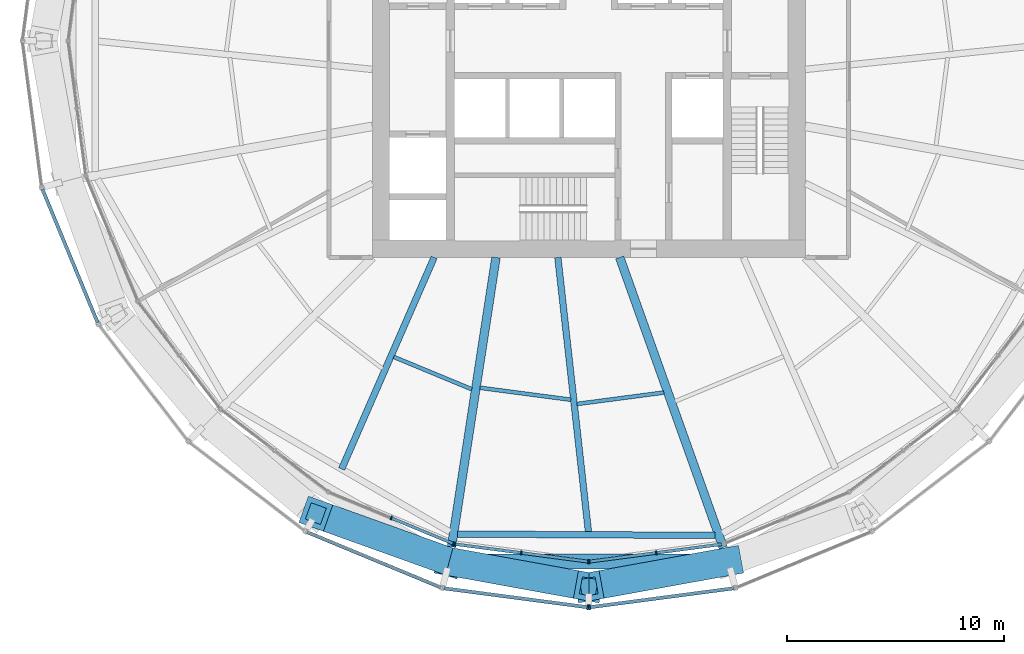
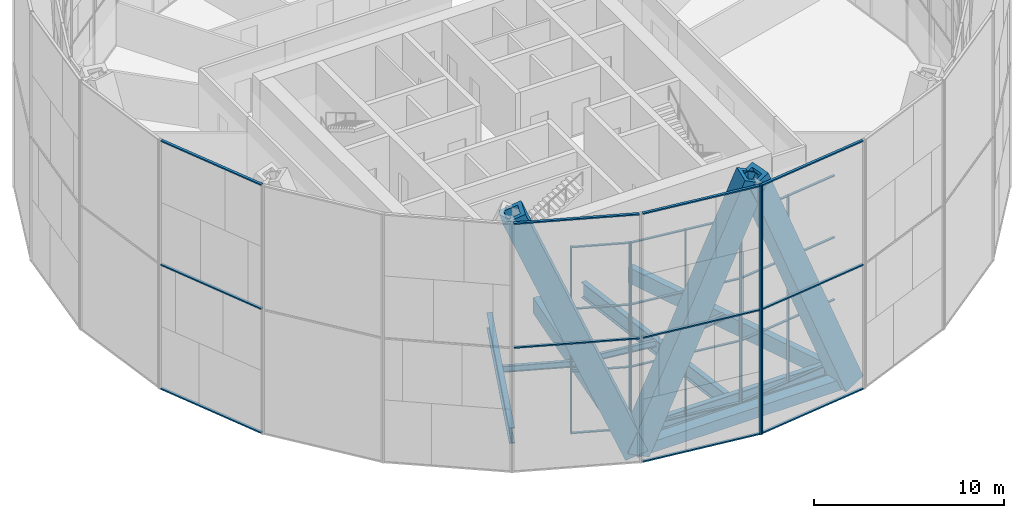
# One storey, part 2 of 26: 43 members, 9 beams, 7 elements without a shape of their own.
"""IFC4 building model written with IfcOpenShell, lengths in metres."""

import ifcopenshell
import ifcopenshell.guid

model = None  # the IFC model being written
_history = None  # IfcOwnerHistory: only IFC2X3 demands one
_inside = {}  # id of a spatial element -> (the spatial element, [elements in it])
_under = {}  # id of a project, library or spatial element -> (it, [spatial elements below it])
_declared = {}  # id of a project -> (the project, [libraries it declares])
_typed = {}  # id of a type object -> (the type object, [elements of that type])
_made_of = {}  # id of a material, layer set ... -> (it, [elements and type objects made of it])


def new_model(schema):
    """Start an empty IFC model of exactly this schema.

    Asked for "IFC4X3", IfcOpenShell would pick the latest addendum, in which some entities
    have other attributes; the version numbers below select the first issue.
    IFC2X3 requires an IfcOwnerHistory on every rooted entity: one is made here for all.
    """
    global model, _history
    if schema == "IFC4X3":
        model = ifcopenshell.file(schema_version=(4, 3, 0, 0))
    else:
        model = ifcopenshell.file(schema=schema)
    _inside.clear()
    _under.clear()
    _declared.clear()
    _typed.clear()
    _made_of.clear()
    _history = None
    if model.schema == "IFC2X3":
        org = make("IfcOrganization", Name="unknown")
        user = make(
            "IfcPersonAndOrganization",
            ThePerson=make("IfcPerson", FamilyName="unknown"),
            TheOrganization=org,
        )
        app = make(
            "IfcApplication",
            ApplicationDeveloper=org,
            Version="unknown",
            ApplicationFullName="unknown",
            ApplicationIdentifier="unknown",
        )
        _history = make(
            "IfcOwnerHistory",
            OwningUser=user,
            OwningApplication=app,
            ChangeAction="ADDED",
            CreationDate=0,
        )
    return model


def make(cls, **values):
    """One entity of the class cls with the attributes given. An attribute that is None is left unset."""
    return model.create_entity(
        cls, **{name: value for name, value in values.items() if value is not None}
    )


def rooted(cls, **values):
    """An entity with a GlobalId (a new one), such as an element, a storey or a relation."""
    return make(cls, GlobalId=ifcopenshell.guid.new(), OwnerHistory=_history, **values)


def si_unit(unit_type, name, prefix=None):
    """IfcSIUnit, for example si_unit("LENGTHUNIT", "METRE", prefix="MILLI")."""
    return make("IfcSIUnit", UnitType=unit_type, Prefix=prefix, Name=name)


def assignment(units):
    """IfcUnitAssignment: the units of a project."""
    return None if units is None else make("IfcUnitAssignment", Units=units)


def point(xyz):
    """IfcCartesianPoint."""
    return None if xyz is None else make("IfcCartesianPoint", Coordinates=xyz)


def direction(xyz):
    """IfcDirection."""
    return None if xyz is None else make("IfcDirection", DirectionRatios=xyz)


def frame(location, z_axis=None, x_axis=None):
    """IfcAxis2Placement3D, a coordinate frame: its origin and axes. An axis left out is left unset."""
    return make(
        "IfcAxis2Placement3D",
        Location=point(location),
        Axis=direction(z_axis),
        RefDirection=direction(x_axis),
    )


def frame_2d(location, x_axis=None):
    """IfcAxis2Placement2D, a coordinate frame in the plane: its origin and x axis."""
    return make(
        "IfcAxis2Placement2D", Location=point(location), RefDirection=direction(x_axis)
    )


def origin():
    """The frame at (0, 0, 0) with its axes left unset."""
    return frame((0.0, 0.0, 0.0))


def origin_2d():
    """The frame at (0, 0) in the plane with its x axis left unset."""
    return frame_2d((0.0, 0.0))


def place(relative_to, where):
    """IfcLocalPlacement: puts the frame where relative to a parent placement (None: the world)."""
    return make(
        "IfcLocalPlacement", PlacementRelTo=relative_to, RelativePlacement=where
    )


def context(
    kind, dimensions, precision=None, world=None, true_north=None, identifier=None
):
    """IfcGeometricRepresentationContext, for example the 3D "Model" context."""
    return make(
        "IfcGeometricRepresentationContext",
        ContextIdentifier=identifier,
        ContextType=kind,
        CoordinateSpaceDimension=dimensions,
        Precision=precision,
        WorldCoordinateSystem=world,
        TrueNorth=true_north,
    )


def subcontext(parent, identifier, kind, view, scale=None):
    """IfcGeometricRepresentationSubContext, for example "Body" below "Model"."""
    return make(
        "IfcGeometricRepresentationSubContext",
        ContextIdentifier=identifier,
        ContextType=kind,
        ParentContext=parent,
        TargetScale=scale,
        TargetView=view,
    )


def project(units=None, contexts=None):
    """IfcProject with its units and contexts."""
    return rooted(
        "IfcProject",
        Name="project",
        RepresentationContexts=contexts,
        UnitsInContext=assignment(units),
    )


def spatial(cls, under=None, at=None, **own):
    """A site, building, storey or space (cls), placed at a placement, below another one or the project."""
    s = rooted(cls, ObjectPlacement=at, **own)
    if under is not None:
        _under.setdefault(under.id(), (under, []))[1].append(s)
    return s


def profile(cls, at=None, kind="AREA", **sizes):
    """A parametric profile (cls). Its sizes go by their IFC names, for example OverallWidth=200.0."""
    return make(cls, ProfileType=kind, Position=at, **sizes)


def rectangle(**sizes):
    """IfcRectangleProfileDef."""
    return profile("IfcRectangleProfileDef", **sizes)


def hollow_rectangle(**sizes):
    """IfcRectangleHollowProfileDef."""
    return profile("IfcRectangleHollowProfileDef", **sizes)


def i_section(**sizes):
    """IfcIShapeProfileDef."""
    return profile("IfcIShapeProfileDef", **sizes)


def extrude(swept, where, along, depth):
    """IfcExtrudedAreaSolid: the profile swept, set in the frame where, extruded along a direction by depth."""
    return make(
        "IfcExtrudedAreaSolid",
        SweptArea=swept,
        Position=where,
        ExtrudedDirection=direction(along),
        Depth=depth,
    )


def shape(context_of_items, identifier, shape_type, items):
    """IfcShapeRepresentation: the items that make up one representation, for example the "Body"."""
    return make(
        "IfcShapeRepresentation",
        ContextOfItems=context_of_items,
        RepresentationIdentifier=identifier,
        RepresentationType=shape_type,
        Items=items,
    )


def material(Name=None, Category=None):
    """IfcMaterial."""
    return make("IfcMaterial", Name=Name, Category=Category)


def material_profile(
    of_material, cross_section, Name=None, Category=None, Priority=None
):
    """IfcMaterialProfile: a cross section and its material."""
    return make(
        "IfcMaterialProfile",
        Name=Name,
        Material=of_material,
        Profile=cross_section,
        Priority=Priority,
        Category=Category,
    )


def profile_set(profiles, Name=None, composite=None):
    """IfcMaterialProfileSet."""
    return make(
        "IfcMaterialProfileSet",
        Name=Name,
        MaterialProfiles=profiles,
        CompositeProfile=composite,
    )


def made_of(thing, what):
    """Note that an element or type object is made of a material, layer set ...; save() writes the relation."""
    if what is not None:
        _made_of.setdefault(what.id(), (what, []))[1].append(thing)
    return thing


def type_object(cls, material=None, **own):
    """A type object (cls), such as IfcWallType, which elements share."""
    return made_of(rooted(cls, **own), material)


def element(
    cls,
    number,
    at=None,
    inside=None,
    cuts=None,
    type_object=None,
    material=None,
    context=None,
    identifier="Body",
    shape_type=None,
    held_by="IfcProductDefinitionShape",
    body=None,
    shapes=None,
    **own,
):
    """One element of the class cls, such as IfcWall. Its Tag is "e" and its number.

    at: its placement. inside: the storey or other place that contains it. cuts: it is an
    opening in that element (IfcRelVoidsElement). A single representation is given by context,
    identifier, shape_type and body (its items); several are given by shapes. held_by: the class
    of the entity that holds the representations. save() writes the other relations.
    """
    e = rooted(cls, Tag="e%d" % number, ObjectPlacement=at, **own)
    if body is not None:
        shapes = [shape(context, identifier, shape_type, body)]
    if shapes is not None:
        e.Representation = make(held_by, Representations=shapes)
    if inside is not None:
        _inside.setdefault(inside.id(), (inside, []))[1].append(e)
    if cuts is not None:
        rooted(
            "IfcRelVoidsElement", RelatingBuildingElement=cuts, RelatedOpeningElement=e
        )
    if type_object is not None:
        _typed.setdefault(type_object.id(), (type_object, []))[1].append(e)
    return made_of(e, material)


def aggregate(whole, parts):
    """IfcRelAggregates: a whole, such as a stair, and the parts it consists of."""
    return rooted("IfcRelAggregates", RelatingObject=whole, RelatedObjects=parts)


def save(model, path):
    """Write the relations noted so far, then the file.

    IfcRelAggregates (storeys below a building ...), IfcRelContainedInSpatialStructure (elements
    in a storey), IfcRelDefinesByType, IfcRelAssociatesMaterial and IfcRelDeclares: one each for
    every whole, place, type object, material and project.
    """
    for whole, parts in _under.values():
        aggregate(whole, parts)
    for where, things in _inside.values():
        rooted(
            "IfcRelContainedInSpatialStructure",
            RelatedElements=things,
            RelatingStructure=where,
        )
    for kind, things in _typed.values():
        rooted("IfcRelDefinesByType", RelatedObjects=things, RelatingType=kind)
    for what, things in _made_of.values():
        rooted("IfcRelAssociatesMaterial", RelatedObjects=things, RelatingMaterial=what)
    for by, libraries in _declared.values():
        rooted("IfcRelDeclares", RelatingContext=by, RelatedDefinitions=libraries)
    model.write(path)


model = new_model("IFC4")

# Units and contexts
model_context = context("Model", 3, precision=1e-05, world=origin(), true_north=direction((0.0, 1.0)))
body_context = subcontext(model_context, "Body", "Model", "MODEL_VIEW")
ifc_project = project(units=[si_unit("LENGTHUNIT", "METRE"), si_unit("AREAUNIT", "SQUARE_METRE"), si_unit("VOLUMEUNIT", "CUBIC_METRE"), si_unit("PLANEANGLEUNIT", "RADIAN"), si_unit("MASSUNIT", "GRAM", prefix="KILO")], contexts=[model_context])

# Site, building, storey
site_placement = place(None, origin())
site = spatial("IfcSite", under=ifc_project, at=site_placement, CompositionType="ELEMENT")
building_placement = place(site_placement, origin())
building = spatial("IfcBuilding", under=site, at=building_placement, Name="Golbaran Civic Tower", CompositionType="ELEMENT")
storey_placement = place(building_placement, frame((0.0, 0.0, 69.0)))
storey = spatial("IfcBuildingStorey", under=building, at=storey_placement, Name="L16", CompositionType="ELEMENT", Elevation=69.0)

# Members
ifc_material_1 = material(Name="Steel S355", Category="steel")
ifc_material_profile_1 = material_profile(ifc_material_1, hollow_rectangle(XDim=1.300048828125, YDim=1.300048828125, WallThickness=0.25, at=origin_2d()), Name="BOX 1300x1300x250")
ifc_profile_set_1 = profile_set([ifc_material_profile_1], Name="Steel S355")
member_type_1 = type_object("IfcMemberType", Name="DIAGRID DIAGONAL BOX 1300x1300x250", PredefinedType="BRACE", material=ifc_profile_set_1)
for number, where, z_axis, x_axis, name in (
    (1, (-6.4423828125, -24.04296875, -0.7099609375), (0.372654606272, -0.067560240882, 0.925507513895), (0.178386648531, 0.983960468528, 0.0), "Diagonal D03-08R L16-L20"),
    (2, (-6.4423828125, -24.04296875, -0.7099609375), (-0.356500071861, 0.127819765109, 0.925510565262), (-0.337503066276, -0.941324428799, 0.0), "Diagonal D03-08L L16-L20"),
    (3, (6.4423828125, -24.04296875, -0.7099609375), (-0.372654606272, -0.067560240882, 0.925507513895), (0.178386648531, -0.983960468528, 0.0), "Diagonal D03-09L L16-L20"),
):
    element("IfcMember", number, at=place(storey_placement, frame(where, z_axis=z_axis, x_axis=x_axis)), inside=storey, type_object=member_type_1, Name=name, PredefinedType="BRACE", context=body_context, shape_type="SweptSolid", body=[
        extrude(hollow_rectangle(XDim=1.300048828125, YDim=1.300048828125, WallThickness=0.25, at=origin_2d()), origin(), (0.0, 0.0, 1.0), 17.287841796875),
    ])

# Beams
ifc_material_profile_2 = material_profile(ifc_material_1, hollow_rectangle(XDim=0.699951171875, YDim=0.699951171875, WallThickness=0.080078125, at=origin_2d()), Name="BOX 700x700x80")
ifc_profile_set_2 = profile_set([ifc_material_profile_2], Name="Steel S355")
beam_type_1 = type_object("IfcBeamType", Name="DIAGRID RING TIE BOX 700x700x80", PredefinedType="BEAM", material=ifc_profile_set_2)
beam_1_placement = place(storey_placement, frame((-6.4423828125, -24.04296875, -0.7099609375), z_axis=(1.0, 0.0, 0.0), x_axis=(0.0, 1.0, 0.0)))
element("IfcBeam", 4, at=beam_1_placement, inside=storey, type_object=beam_type_1, Name="Ring tie 255.00 L16", PredefinedType="BEAM", context=body_context, shape_type="SweptSolid", body=[
    extrude(hollow_rectangle(XDim=0.699951171875, YDim=0.699951171875, WallThickness=0.080078125, at=origin_2d()), origin(), (0.0, 0.0, 1.0), 12.884765625),
])
ifc_material_profile_3 = material_profile(ifc_material_1, i_section(OverallWidth=0.300048828125, OverallDepth=0.800048828125, WebThickness=0.017578125, FlangeThickness=0.032958984375, FilletRadius=0.030029296875, at=origin_2d()), Name="HEB 800")
ifc_profile_set_3 = profile_set([ifc_material_profile_3], Name="Steel S355")
beam_type_2 = type_object("IfcBeamType", Name="EDGE BEAM HEB 800", PredefinedType="BEAM", material=ifc_profile_set_3)
beam_2_placement = place(storey_placement, frame((-6.065673828125, -22.77685546875, -0.60009765625), z_axis=(0.999986711838, -0.005155205896, 0.0), x_axis=(0.005155205896, 0.999986711838, 0.0)))
element("IfcBeam", 5, at=beam_2_placement, inside=storey, type_object=beam_type_2, Name="Edge beam 255.00 L16", PredefinedType="BEAM", context=body_context, shape_type="SweptSolid", body=[
    extrude(i_section(OverallWidth=0.300048828125, OverallDepth=0.800048828125, WebThickness=0.017578125, FlangeThickness=0.032958984375, FilletRadius=0.030029296875, at=origin_2d()), origin(), (0.0, 0.0, 1.0), 11.886962890625),
])
ifc_material_profile_4 = material_profile(ifc_material_1, i_section(OverallWidth=0.179931640625, OverallDepth=0.39990234375, WebThickness=0.008544921875, FlangeThickness=0.013427734375, FilletRadius=0.02099609375, at=origin_2d()), Name="IPE 400")
ifc_profile_set_4 = profile_set([ifc_material_profile_4], Name="Steel S355")
beam_type_3 = type_object("IfcBeamType", Name="FLOOR INFILL BEAM IPE 400", PredefinedType="BEAM", material=ifc_profile_set_4)
beam_3_placement = place(storey_placement, frame((-9.00927734375, -14.593505859375, -0.39990234375), z_axis=(0.923883445114, -0.38267398637, 0.0), x_axis=(0.38267398637, 0.923883445114, 0.0)))
element("IfcBeam", 6, at=beam_3_placement, inside=storey, type_object=beam_type_3, Name="Infill beam 247.50 L16", PredefinedType="BEAM", context=body_context, shape_type="SweptSolid", body=[
    extrude(i_section(OverallWidth=0.179931640625, OverallDepth=0.39990234375, WebThickness=0.008544921875, FlangeThickness=0.013427734375, FilletRadius=0.02099609375, at=origin_2d()), origin(), (0.0, 0.0, 1.0), 3.90380859375),
])
beam_4_placement = place(storey_placement, frame((-5.02783203125, -16.0185546875, -0.39990234375), z_axis=(0.991441937301, -0.130548400832, 0.0), x_axis=(0.130548400832, 0.991441937301, 0.0)))
element("IfcBeam", 7, at=beam_4_placement, inside=storey, type_object=beam_type_3, Name="Infill beam 262.50 L16", PredefinedType="BEAM", context=body_context, shape_type="SweptSolid", body=[
    extrude(i_section(OverallWidth=0.179931640625, OverallDepth=0.39990234375, WebThickness=0.008544921875, FlangeThickness=0.013427734375, FilletRadius=0.02099609375, at=origin_2d()), origin(), (0.0, 0.0, 1.0), 4.23779296875),
])
beam_5_placement = place(storey_placement, frame((-0.54296875, -16.767822265625, -0.39990234375), z_axis=(0.991440724593, 0.130557610341, 0.0), x_axis=(-0.130557610341, 0.991440724593, 0.0)))
element("IfcBeam", 8, at=beam_5_placement, inside=storey, type_object=beam_type_3, Name="Infill beam 277.50 L16", PredefinedType="BEAM", context=body_context, shape_type="SweptSolid", body=[
    extrude(i_section(OverallWidth=0.179931640625, OverallDepth=0.39990234375, WebThickness=0.008544921875, FlangeThickness=0.013427734375, FilletRadius=0.02099609375, at=origin_2d()), origin(), (0.0, 0.0, 1.0), 4.04296875),
])

# Curtain wall, members
ifc_material_2 = material(Name="Aluminium and glass", Category="aluminium")
curtain_wall_type_1 = type_object("IfcCurtainWallType", Name="INNER SKIN CURTAIN WALL", PredefinedType="NOTDEFINED", material=ifc_material_2)
curtain_wall_1_placement = place(storey_placement, origin())
curtain_wall_1 = element("IfcCurtainWall", 9, at=curtain_wall_1_placement, inside=storey, type_object=curtain_wall_type_1, Name="Inner skin L16 facet 17 CW1", ObjectType="INNER SKIN", PredefinedType="USERDEFINED")
ifc_material_3 = material(Name="Aluminium", Category="aluminium")
ifc_material_profile_5 = material_profile(ifc_material_3, rectangle(XDim=0.179931640625, YDim=0.06494140625, at=origin_2d()), Name="INNER SKIN CURTAIN WALL MULLION")
ifc_profile_set_5 = profile_set([ifc_material_profile_5], Name="Aluminium")
member_type_2 = type_object("IfcMemberType", Name="INNER SKIN CURTAIN WALL MULLION", PredefinedType="MULLION", material=ifc_profile_set_5)
member_1_placement = place(storey_placement, frame((-9.1259765625, -22.031982421875, 0.0), z_axis=(0.0, 0.0, 1.0), x_axis=(0.382683432446, 0.923879532478, 0.0)))
member_1 = element("IfcMember", 10, at=member_1_placement, type_object=member_type_2, Name="CW1 mullion 2", PredefinedType="MULLION", context=body_context, shape_type="SweptSolid", body=[
    extrude(rectangle(XDim=0.179931640625, YDim=0.06494140625, at=origin_2d()), origin(), (0.0, 0.0, 1.0), 12.0),
])
member_2_placement = place(storey_placement, frame((-6.25537109375, -23.220947265625, 0.0), z_axis=(0.0, 0.0, 1.0), x_axis=(0.382683432446, 0.923879532478, 0.0)))
member_2 = element("IfcMember", 11, at=member_2_placement, type_object=member_type_2, Name="CW1 mullion 3", PredefinedType="MULLION", context=body_context, shape_type="SweptSolid", body=[
    extrude(rectangle(XDim=0.179931640625, YDim=0.06494140625, at=origin_2d()), origin(), (0.0, 0.0, 1.0), 12.0),
])

curtain_wall_2_placement = place(storey_placement, origin())
curtain_wall_2 = element("IfcCurtainWall", 12, at=curtain_wall_2_placement, inside=storey, type_object=curtain_wall_type_1, Name="Inner skin L16 facet 18 CW1", ObjectType="INNER SKIN", PredefinedType="USERDEFINED")
member_3_placement = place(storey_placement, frame((-6.193115234375, -23.237548828125, 0.0), z_axis=(0.0, 0.0, 1.0), x_axis=(0.130526192168, 0.991444861381, 0.0)))
member_3 = element("IfcMember", 13, at=member_3_placement, type_object=member_type_2, Name="CW1 mullion 1", PredefinedType="MULLION", context=body_context, shape_type="SweptSolid", body=[
    extrude(rectangle(XDim=0.179931640625, YDim=0.06494140625, at=origin_2d()), origin(), (0.0, 0.0, 1.0), 12.0),
])
member_4_placement = place(storey_placement, frame((-3.11279296875, -23.643310546875, 0.0), z_axis=(0.0, 0.0, 1.0), x_axis=(0.130526192168, 0.991444861381, 0.0)))
member_4 = element("IfcMember", 14, at=member_4_placement, type_object=member_type_2, Name="CW1 mullion 2", PredefinedType="MULLION", context=body_context, shape_type="SweptSolid", body=[
    extrude(rectangle(XDim=0.179931640625, YDim=0.06494140625, at=origin_2d()), origin(), (0.0, 0.0, 1.0), 12.0),
])
member_5_placement = place(storey_placement, frame((-0.0322265625, -24.048828125, 0.0), z_axis=(0.0, 0.0, 1.0), x_axis=(0.130526192168, 0.991444861381, 0.0)))
member_5 = element("IfcMember", 15, at=member_5_placement, type_object=member_type_2, Name="CW1 mullion 3", PredefinedType="MULLION", context=body_context, shape_type="SweptSolid", body=[
    extrude(rectangle(XDim=0.179931640625, YDim=0.06494140625, at=origin_2d()), origin(), (0.0, 0.0, 1.0), 12.0),
])

curtain_wall_3_placement = place(storey_placement, origin())
curtain_wall_3 = element("IfcCurtainWall", 16, at=curtain_wall_3_placement, inside=storey, type_object=curtain_wall_type_1, Name="Inner skin L16 facet 19 CW1", ObjectType="INNER SKIN", PredefinedType="USERDEFINED")
member_6_placement = place(storey_placement, frame((0.0322265625, -24.048828125, 0.0), z_axis=(0.0, 0.0, 1.0), x_axis=(-0.130526192168, 0.991444861381, 0.0)))
member_6 = element("IfcMember", 17, at=member_6_placement, type_object=member_type_2, Name="CW1 mullion 1", PredefinedType="MULLION", context=body_context, shape_type="SweptSolid", body=[
    extrude(rectangle(XDim=0.179931640625, YDim=0.06494140625, at=origin_2d()), origin(), (0.0, 0.0, 1.0), 12.0),
])
member_7_placement = place(storey_placement, frame((3.11279296875, -23.643310546875, 0.0), z_axis=(0.0, 0.0, 1.0), x_axis=(-0.130526192168, 0.991444861381, 0.0)))
member_7 = element("IfcMember", 18, at=member_7_placement, type_object=member_type_2, Name="CW1 mullion 2", PredefinedType="MULLION", context=body_context, shape_type="SweptSolid", body=[
    extrude(rectangle(XDim=0.179931640625, YDim=0.06494140625, at=origin_2d()), origin(), (0.0, 0.0, 1.0), 12.0),
])

# Member
ifc_material_profile_6 = material_profile(ifc_material_3, rectangle(XDim=0.139892578125, YDim=0.06494140625, at=origin_2d()), Name="INNER SKIN CURTAIN WALL TRANSOM")
ifc_profile_set_6 = profile_set([ifc_material_profile_6], Name="Aluminium")
member_type_3 = type_object("IfcMemberType", Name="INNER SKIN CURTAIN WALL TRANSOM", PredefinedType="USERDEFINED", material=ifc_profile_set_6)
member_8_placement = place(storey_placement, frame((-9.095947265625, -22.04443359375, 0.032470703125), z_axis=(0.923891634543, -0.382654214168, 0.0), x_axis=(0.382654214168, 0.923891634543, 0.0)))
member_8 = element("IfcMember", 19, at=member_8_placement, type_object=member_type_3, Name="CW1 transom 2.1", ObjectType="TRANSOM", PredefinedType="USERDEFINED", context=body_context, shape_type="SweptSolid", body=[
    extrude(rectangle(XDim=0.139892578125, YDim=0.06494140625, at=origin_2d()), origin(), (0.0, 0.0, 1.0), 3.0419921875),
])

member_9_placement = place(storey_placement, frame((-9.095947265625, -22.04443359375, 4.0), z_axis=(0.923891634543, -0.382654214168, 0.0), x_axis=(0.382654214168, 0.923891634543, 0.0)))
member_9 = element("IfcMember", 20, at=member_9_placement, type_object=member_type_3, Name="CW1 transom 2.2", ObjectType="TRANSOM", PredefinedType="USERDEFINED", context=body_context, shape_type="SweptSolid", body=[
    extrude(rectangle(XDim=0.139892578125, YDim=0.06494140625, at=origin_2d()), origin(), (0.0, 0.0, 1.0), 3.0419921875),
])

member_10_placement = place(storey_placement, frame((-9.095947265625, -22.04443359375, 8.0), z_axis=(0.923891634543, -0.382654214168, 0.0), x_axis=(0.382654214168, 0.923891634543, 0.0)))
member_10 = element("IfcMember", 21, at=member_10_placement, type_object=member_type_3, Name="CW1 transom 2.3", ObjectType="TRANSOM", PredefinedType="USERDEFINED", context=body_context, shape_type="SweptSolid", body=[
    extrude(rectangle(XDim=0.139892578125, YDim=0.06494140625, at=origin_2d()), origin(), (0.0, 0.0, 1.0), 3.0419921875),
])

member_11_placement = place(storey_placement, frame((-9.095947265625, -22.04443359375, 11.967529296875), z_axis=(0.923891634543, -0.382654214168, 0.0), x_axis=(0.382654214168, 0.923891634543, 0.0)))
member_11 = element("IfcMember", 22, at=member_11_placement, type_object=member_type_3, Name="CW1 transom 2.4", ObjectType="TRANSOM", PredefinedType="USERDEFINED", context=body_context, shape_type="SweptSolid", body=[
    extrude(rectangle(XDim=0.139892578125, YDim=0.06494140625, at=origin_2d()), origin(), (0.0, 0.0, 1.0), 3.0419921875),
])

aggregate(curtain_wall_1, [member_1, member_2, member_8, member_9, member_10, member_11])

member_12_placement = place(storey_placement, frame((-6.160888671875, -23.241943359375, 0.032470703125), z_axis=(0.991448011299, -0.130502263934, 0.0), x_axis=(0.130502263934, 0.991448011299, 0.0)))
member_12 = element("IfcMember", 23, at=member_12_placement, type_object=member_type_3, Name="CW1 transom 1.1", ObjectType="TRANSOM", PredefinedType="USERDEFINED", context=body_context, shape_type="SweptSolid", body=[
    extrude(rectangle(XDim=0.139892578125, YDim=0.06494140625, at=origin_2d()), origin(), (0.0, 0.0, 1.0), 3.0419921875),
])

member_13_placement = place(storey_placement, frame((-6.160888671875, -23.241943359375, 4.0), z_axis=(0.991448011299, -0.130502263934, 0.0), x_axis=(0.130502263934, 0.991448011299, 0.0)))
member_13 = element("IfcMember", 24, at=member_13_placement, type_object=member_type_3, Name="CW1 transom 1.2", ObjectType="TRANSOM", PredefinedType="USERDEFINED", context=body_context, shape_type="SweptSolid", body=[
    extrude(rectangle(XDim=0.139892578125, YDim=0.06494140625, at=origin_2d()), origin(), (0.0, 0.0, 1.0), 3.0419921875),
])

member_14_placement = place(storey_placement, frame((-6.160888671875, -23.241943359375, 8.0), z_axis=(0.991448011299, -0.130502263934, 0.0), x_axis=(0.130502263934, 0.991448011299, 0.0)))
member_14 = element("IfcMember", 25, at=member_14_placement, type_object=member_type_3, Name="CW1 transom 1.3", ObjectType="TRANSOM", PredefinedType="USERDEFINED", context=body_context, shape_type="SweptSolid", body=[
    extrude(rectangle(XDim=0.139892578125, YDim=0.06494140625, at=origin_2d()), origin(), (0.0, 0.0, 1.0), 3.0419921875),
])

member_15_placement = place(storey_placement, frame((-6.160888671875, -23.241943359375, 11.967529296875), z_axis=(0.991448011299, -0.130502263934, 0.0), x_axis=(0.130502263934, 0.991448011299, 0.0)))
member_15 = element("IfcMember", 26, at=member_15_placement, type_object=member_type_3, Name="CW1 transom 1.4", ObjectType="TRANSOM", PredefinedType="USERDEFINED", context=body_context, shape_type="SweptSolid", body=[
    extrude(rectangle(XDim=0.139892578125, YDim=0.06494140625, at=origin_2d()), origin(), (0.0, 0.0, 1.0), 3.0419921875),
])

member_16_placement = place(storey_placement, frame((-3.08056640625, -23.6474609375, 0.032470703125), z_axis=(0.991449378026, -0.130491880255, 0.0), x_axis=(0.130491880255, 0.991449378026, 0.0)))
member_16 = element("IfcMember", 27, at=member_16_placement, type_object=member_type_3, Name="CW1 transom 2.1", ObjectType="TRANSOM", PredefinedType="USERDEFINED", context=body_context, shape_type="SweptSolid", body=[
    extrude(rectangle(XDim=0.139892578125, YDim=0.06494140625, at=origin_2d()), origin(), (0.0, 0.0, 1.0), 3.042236328125),
])

member_17_placement = place(storey_placement, frame((-3.08056640625, -23.6474609375, 4.0), z_axis=(0.991449378026, -0.130491880255, 0.0), x_axis=(0.130491880255, 0.991449378026, 0.0)))
member_17 = element("IfcMember", 28, at=member_17_placement, type_object=member_type_3, Name="CW1 transom 2.2", ObjectType="TRANSOM", PredefinedType="USERDEFINED", context=body_context, shape_type="SweptSolid", body=[
    extrude(rectangle(XDim=0.139892578125, YDim=0.06494140625, at=origin_2d()), origin(), (0.0, 0.0, 1.0), 3.042236328125),
])

member_18_placement = place(storey_placement, frame((-3.08056640625, -23.6474609375, 8.0), z_axis=(0.991449378026, -0.130491880255, 0.0), x_axis=(0.130491880255, 0.991449378026, 0.0)))
member_18 = element("IfcMember", 29, at=member_18_placement, type_object=member_type_3, Name="CW1 transom 2.3", ObjectType="TRANSOM", PredefinedType="USERDEFINED", context=body_context, shape_type="SweptSolid", body=[
    extrude(rectangle(XDim=0.139892578125, YDim=0.06494140625, at=origin_2d()), origin(), (0.0, 0.0, 1.0), 3.042236328125),
])

member_19_placement = place(storey_placement, frame((-3.08056640625, -23.6474609375, 11.967529296875), z_axis=(0.991449378026, -0.130491880255, 0.0), x_axis=(0.130491880255, 0.991449378026, 0.0)))
member_19 = element("IfcMember", 30, at=member_19_placement, type_object=member_type_3, Name="CW1 transom 2.4", ObjectType="TRANSOM", PredefinedType="USERDEFINED", context=body_context, shape_type="SweptSolid", body=[
    extrude(rectangle(XDim=0.139892578125, YDim=0.06494140625, at=origin_2d()), origin(), (0.0, 0.0, 1.0), 3.042236328125),
])

aggregate(curtain_wall_2, [member_3, member_4, member_5, member_12, member_13, member_14, member_15, member_16, member_17, member_18, member_19])

member_20_placement = place(storey_placement, frame((0.064453125, -24.04443359375, 0.032470703125), z_axis=(0.991449378026, 0.130491880255, 0.0), x_axis=(-0.130491880255, 0.991449378026, 0.0)))
member_20 = element("IfcMember", 31, at=member_20_placement, type_object=member_type_3, Name="CW1 transom 1.1", ObjectType="TRANSOM", PredefinedType="USERDEFINED", context=body_context, shape_type="SweptSolid", body=[
    extrude(rectangle(XDim=0.139892578125, YDim=0.06494140625, at=origin_2d()), origin(), (0.0, 0.0, 1.0), 3.042236328125),
])

member_21_placement = place(storey_placement, frame((0.064453125, -24.04443359375, 4.0), z_axis=(0.991449378026, 0.130491880255, 0.0), x_axis=(-0.130491880255, 0.991449378026, 0.0)))
member_21 = element("IfcMember", 32, at=member_21_placement, type_object=member_type_3, Name="CW1 transom 1.2", ObjectType="TRANSOM", PredefinedType="USERDEFINED", context=body_context, shape_type="SweptSolid", body=[
    extrude(rectangle(XDim=0.139892578125, YDim=0.06494140625, at=origin_2d()), origin(), (0.0, 0.0, 1.0), 3.042236328125),
])

member_22_placement = place(storey_placement, frame((0.064453125, -24.04443359375, 8.0), z_axis=(0.991449378026, 0.130491880255, 0.0), x_axis=(-0.130491880255, 0.991449378026, 0.0)))
member_22 = element("IfcMember", 33, at=member_22_placement, type_object=member_type_3, Name="CW1 transom 1.3", ObjectType="TRANSOM", PredefinedType="USERDEFINED", context=body_context, shape_type="SweptSolid", body=[
    extrude(rectangle(XDim=0.139892578125, YDim=0.06494140625, at=origin_2d()), origin(), (0.0, 0.0, 1.0), 3.042236328125),
])

member_23_placement = place(storey_placement, frame((0.064453125, -24.04443359375, 11.967529296875), z_axis=(0.991449378026, 0.130491880255, 0.0), x_axis=(-0.130491880255, 0.991449378026, 0.0)))
member_23 = element("IfcMember", 34, at=member_23_placement, type_object=member_type_3, Name="CW1 transom 1.4", ObjectType="TRANSOM", PredefinedType="USERDEFINED", context=body_context, shape_type="SweptSolid", body=[
    extrude(rectangle(XDim=0.139892578125, YDim=0.06494140625, at=origin_2d()), origin(), (0.0, 0.0, 1.0), 3.042236328125),
])

member_24_placement = place(storey_placement, frame((3.14501953125, -23.638916015625, 0.032470703125), z_axis=(0.991448011299, 0.130502263934, 0.0), x_axis=(-0.130502263934, 0.991448011299, 0.0)))
member_24 = element("IfcMember", 35, at=member_24_placement, type_object=member_type_3, Name="CW1 transom 2.1", ObjectType="TRANSOM", PredefinedType="USERDEFINED", context=body_context, shape_type="SweptSolid", body=[
    extrude(rectangle(XDim=0.139892578125, YDim=0.06494140625, at=origin_2d()), origin(), (0.0, 0.0, 1.0), 3.0419921875),
])

member_25_placement = place(storey_placement, frame((3.14501953125, -23.638916015625, 4.0), z_axis=(0.991448011299, 0.130502263934, 0.0), x_axis=(-0.130502263934, 0.991448011299, 0.0)))
member_25 = element("IfcMember", 36, at=member_25_placement, type_object=member_type_3, Name="CW1 transom 2.2", ObjectType="TRANSOM", PredefinedType="USERDEFINED", context=body_context, shape_type="SweptSolid", body=[
    extrude(rectangle(XDim=0.139892578125, YDim=0.06494140625, at=origin_2d()), origin(), (0.0, 0.0, 1.0), 3.0419921875),
])

member_26_placement = place(storey_placement, frame((3.14501953125, -23.638916015625, 8.0), z_axis=(0.991448011299, 0.130502263934, 0.0), x_axis=(-0.130502263934, 0.991448011299, 0.0)))
member_26 = element("IfcMember", 37, at=member_26_placement, type_object=member_type_3, Name="CW1 transom 2.3", ObjectType="TRANSOM", PredefinedType="USERDEFINED", context=body_context, shape_type="SweptSolid", body=[
    extrude(rectangle(XDim=0.139892578125, YDim=0.06494140625, at=origin_2d()), origin(), (0.0, 0.0, 1.0), 3.0419921875),
])

member_27_placement = place(storey_placement, frame((3.14501953125, -23.638916015625, 11.967529296875), z_axis=(0.991448011299, 0.130502263934, 0.0), x_axis=(-0.130502263934, 0.991448011299, 0.0)))
member_27 = element("IfcMember", 38, at=member_27_placement, type_object=member_type_3, Name="CW1 transom 2.4", ObjectType="TRANSOM", PredefinedType="USERDEFINED", context=body_context, shape_type="SweptSolid", body=[
    extrude(rectangle(XDim=0.139892578125, YDim=0.06494140625, at=origin_2d()), origin(), (0.0, 0.0, 1.0), 3.0419921875),
])

aggregate(curtain_wall_3, [member_6, member_7, member_20, member_21, member_22, member_23, member_24, member_25, member_26, member_27])

# Curtain wall, member
curtain_wall_type_2 = type_object("IfcCurtainWallType", Name="OUTER SKIN TERRACOTTA SCREEN", PredefinedType="NOTDEFINED", material=ifc_material_2)
curtain_wall_4_placement = place(storey_placement, origin())
curtain_wall_4 = element("IfcCurtainWall", 39, at=curtain_wall_4_placement, inside=storey, type_object=curtain_wall_type_2, Name="Outer skin L16 facet 18 CW3", ObjectType="OUTER SKIN", PredefinedType="USERDEFINED")
ifc_material_profile_7 = material_profile(ifc_material_3, rectangle(XDim=0.219970703125, YDim=0.080078125, at=origin_2d()), Name="OUTER SKIN TERRACOTTA SCREEN MULLION")
ifc_profile_set_7 = profile_set([ifc_material_profile_7], Name="Aluminium")
member_type_4 = type_object("IfcMemberType", Name="OUTER SKIN TERRACOTTA SCREEN MULLION", PredefinedType="MULLION", material=ifc_profile_set_7)
member_28_placement = place(storey_placement, frame((-0.03955078125, -26.15576171875, -0.7099609375), z_axis=(0.0, 0.0, 1.0), x_axis=(0.130526192151, 0.991444861383, 0.0)))
member_28 = element("IfcMember", 40, at=member_28_placement, type_object=member_type_4, Name="CW3 mullion 2", PredefinedType="MULLION", context=body_context, shape_type="SweptSolid", body=[
    extrude(rectangle(XDim=0.219970703125, YDim=0.080078125, at=origin_2d()), origin(), (0.0, 0.0, 1.0), 16.0),
])

curtain_wall_5_placement = place(storey_placement, origin())
curtain_wall_5 = element("IfcCurtainWall", 41, at=curtain_wall_5_placement, inside=storey, type_object=curtain_wall_type_2, Name="Outer skin L16 facet 19 CW3", ObjectType="OUTER SKIN", PredefinedType="USERDEFINED")
member_29_placement = place(storey_placement, frame((0.03955078125, -26.15576171875, -0.7099609375), z_axis=(0.0, 0.0, 1.0), x_axis=(-0.130526192151, 0.991444861383, 0.0)))
member_29 = element("IfcMember", 42, at=member_29_placement, type_object=member_type_4, Name="CW3 mullion 1", PredefinedType="MULLION", context=body_context, shape_type="SweptSolid", body=[
    extrude(rectangle(XDim=0.219970703125, YDim=0.080078125, at=origin_2d()), origin(), (0.0, 0.0, 1.0), 16.0),
])

# Curtain wall, members
curtain_wall_6_placement = place(storey_placement, origin())
curtain_wall_6 = element("IfcCurtainWall", 43, at=curtain_wall_6_placement, inside=storey, type_object=curtain_wall_type_2, Name="Outer skin L16 facet 14 CW3", ObjectType="OUTER SKIN", PredefinedType="USERDEFINED")
ifc_material_profile_8 = material_profile(ifc_material_3, rectangle(XDim=0.159912109375, YDim=0.080078125, at=origin_2d()), Name="OUTER SKIN TERRACOTTA SCREEN TRANSOM")
ifc_profile_set_8 = profile_set([ifc_material_profile_8], Name="Aluminium")
member_type_5 = type_object("IfcMemberType", Name="OUTER SKIN TERRACOTTA SCREEN TRANSOM", PredefinedType="USERDEFINED", material=ifc_profile_set_8)
member_30_placement = place(storey_placement, frame((-25.239013671875, -6.844970703125, -0.669921875), z_axis=(0.382685873056, -0.92387852154, 0.0), x_axis=(0.92387852154, 0.382685873056, 0.0)))
member_30 = element("IfcMember", 44, at=member_30_placement, type_object=member_type_5, Name="CW3 transom 1.1", ObjectType="TRANSOM", PredefinedType="USERDEFINED", context=body_context, shape_type="SweptSolid", body=[
    extrude(rectangle(XDim=0.159912109375, YDim=0.080078125, at=origin_2d()), origin(), (0.0, 0.0, 1.0), 6.669189453125),
])
member_31_placement = place(storey_placement, frame((-25.239013671875, -6.844970703125, 7.2900390625), z_axis=(0.382685873056, -0.92387852154, 0.0), x_axis=(0.92387852154, 0.382685873056, 0.0)))
member_31 = element("IfcMember", 45, at=member_31_placement, type_object=member_type_5, Name="CW3 transom 1.2", ObjectType="TRANSOM", PredefinedType="USERDEFINED", context=body_context, shape_type="SweptSolid", body=[
    extrude(rectangle(XDim=0.159912109375, YDim=0.080078125, at=origin_2d()), origin(), (0.0, 0.0, 1.0), 6.669189453125),
])
member_32_placement = place(storey_placement, frame((-25.239013671875, -6.844970703125, 15.25), z_axis=(0.382685873056, -0.92387852154, 0.0), x_axis=(0.92387852154, 0.382685873056, 0.0)))
member_32 = element("IfcMember", 46, at=member_32_placement, type_object=member_type_5, Name="CW3 transom 1.3", ObjectType="TRANSOM", PredefinedType="USERDEFINED", context=body_context, shape_type="SweptSolid", body=[
    extrude(rectangle(XDim=0.159912109375, YDim=0.080078125, at=origin_2d()), origin(), (0.0, 0.0, 1.0), 6.669189453125),
])
aggregate(curtain_wall_6, [member_30, member_31, member_32])

curtain_wall_7_placement = place(storey_placement, origin())
curtain_wall_7 = element("IfcCurtainWall", 47, at=curtain_wall_7_placement, inside=storey, type_object=curtain_wall_type_2, Name="Outer skin L16 facet 17 CW3", ObjectType="OUTER SKIN", PredefinedType="USERDEFINED")
member_33_placement = place(storey_placement, frame((-13.006591796875, -22.686767578125, 7.2900390625), z_axis=(0.92387852154, -0.382685873056, 0.0), x_axis=(0.382685873056, 0.92387852154, 0.0)))
member_33 = element("IfcMember", 48, at=member_33_placement, type_object=member_type_5, Name="CW3 transom 1.2", ObjectType="TRANSOM", PredefinedType="USERDEFINED", context=body_context, shape_type="SweptSolid", body=[
    extrude(rectangle(XDim=0.159912109375, YDim=0.080078125, at=origin_2d()), origin(), (0.0, 0.0, 1.0), 6.669189453125),
])
member_34_placement = place(storey_placement, frame((-13.006591796875, -22.686767578125, 15.25), z_axis=(0.92387852154, -0.382685873056, 0.0), x_axis=(0.382685873056, 0.92387852154, 0.0)))
member_34 = element("IfcMember", 49, at=member_34_placement, type_object=member_type_5, Name="CW3 transom 1.3", ObjectType="TRANSOM", PredefinedType="USERDEFINED", context=body_context, shape_type="SweptSolid", body=[
    extrude(rectangle(XDim=0.159912109375, YDim=0.080078125, at=origin_2d()), origin(), (0.0, 0.0, 1.0), 6.669189453125),
])
aggregate(curtain_wall_7, [member_33, member_34])

# Member
member_35_placement = place(storey_placement, frame((-6.691650390625, -25.280029296875, -0.669921875), z_axis=(0.991443327613, -0.130537841761, 0.0), x_axis=(0.130537841761, 0.991443327613, 0.0)))
member_35 = element("IfcMember", 50, at=member_35_placement, type_object=member_type_5, Name="CW3 transom 1.1", ObjectType="TRANSOM", PredefinedType="USERDEFINED", context=body_context, shape_type="SweptSolid", body=[
    extrude(rectangle(XDim=0.159912109375, YDim=0.080078125, at=origin_2d()), origin(), (0.0, 0.0, 1.0), 6.66943359375),
])

member_36_placement = place(storey_placement, frame((-6.691650390625, -25.280029296875, 7.2900390625), z_axis=(0.991443327613, -0.130537841761, 0.0), x_axis=(0.130537841761, 0.991443327613, 0.0)))
member_36 = element("IfcMember", 51, at=member_36_placement, type_object=member_type_5, Name="CW3 transom 1.2", ObjectType="TRANSOM", PredefinedType="USERDEFINED", context=body_context, shape_type="SweptSolid", body=[
    extrude(rectangle(XDim=0.159912109375, YDim=0.080078125, at=origin_2d()), origin(), (0.0, 0.0, 1.0), 6.66943359375),
])

member_37_placement = place(storey_placement, frame((-6.691650390625, -25.280029296875, 15.25), z_axis=(0.991443327613, -0.130537841761, 0.0), x_axis=(0.130537841761, 0.991443327613, 0.0)))
member_37 = element("IfcMember", 52, at=member_37_placement, type_object=member_type_5, Name="CW3 transom 1.3", ObjectType="TRANSOM", PredefinedType="USERDEFINED", context=body_context, shape_type="SweptSolid", body=[
    extrude(rectangle(XDim=0.159912109375, YDim=0.080078125, at=origin_2d()), origin(), (0.0, 0.0, 1.0), 6.66943359375),
])

aggregate(curtain_wall_4, [member_28, member_35, member_36, member_37])

member_38_placement = place(storey_placement, frame((0.079345703125, -26.150634765625, -0.669921875), z_axis=(0.991443327613, 0.130537841761, 0.0), x_axis=(-0.130537841761, 0.991443327613, 0.0)))
member_38 = element("IfcMember", 53, at=member_38_placement, type_object=member_type_5, Name="CW3 transom 1.1", ObjectType="TRANSOM", PredefinedType="USERDEFINED", context=body_context, shape_type="SweptSolid", body=[
    extrude(rectangle(XDim=0.159912109375, YDim=0.080078125, at=origin_2d()), origin(), (0.0, 0.0, 1.0), 6.66943359375),
])

member_39_placement = place(storey_placement, frame((0.079345703125, -26.150634765625, 7.2900390625), z_axis=(0.991443327613, 0.130537841761, 0.0), x_axis=(-0.130537841761, 0.991443327613, 0.0)))
member_39 = element("IfcMember", 54, at=member_39_placement, type_object=member_type_5, Name="CW3 transom 1.2", ObjectType="TRANSOM", PredefinedType="USERDEFINED", context=body_context, shape_type="SweptSolid", body=[
    extrude(rectangle(XDim=0.159912109375, YDim=0.080078125, at=origin_2d()), origin(), (0.0, 0.0, 1.0), 6.66943359375),
])

member_40_placement = place(storey_placement, frame((0.079345703125, -26.150634765625, 15.25), z_axis=(0.991443327613, 0.130537841761, 0.0), x_axis=(-0.130537841761, 0.991443327613, 0.0)))
member_40 = element("IfcMember", 55, at=member_40_placement, type_object=member_type_5, Name="CW3 transom 1.3", ObjectType="TRANSOM", PredefinedType="USERDEFINED", context=body_context, shape_type="SweptSolid", body=[
    extrude(rectangle(XDim=0.159912109375, YDim=0.080078125, at=origin_2d()), origin(), (0.0, 0.0, 1.0), 6.66943359375),
])

aggregate(curtain_wall_5, [member_29, member_38, member_39, member_40])

# Beams
ifc_material_profile_9 = material_profile(ifc_material_1, hollow_rectangle(XDim=0.39990234375, YDim=1.0, WallThickness=0.0400390625, at=origin_2d()), Name="BOX 1000x400x40")
ifc_profile_set_9 = profile_set([ifc_material_profile_9], Name="Steel S355")
beam_type_4 = type_object("IfcBeamType", Name="RADIAL FLOOR BEAM BOX 1000x400x40", PredefinedType="BEAM", material=ifc_profile_set_9)
beam_6_placement = place(storey_placement, frame((-4.28564453125, -10.0, -0.7099609375), z_axis=(-0.151800796418, -0.988411107893, 0.0), x_axis=(0.988411107893, -0.151800796418, 0.0)))
element("IfcBeam", 56, at=beam_6_placement, inside=storey, type_object=beam_type_4, Name="Radial beam 255.00 L16", PredefinedType="BEAM", context=body_context, shape_type="SweptSolid", body=[
    extrude(hollow_rectangle(XDim=0.39990234375, YDim=1.0, WallThickness=0.0400390625, at=origin_2d()), origin(), (0.0, 0.0, 1.0), 13.524169921875),
])
beam_7_placement = place(storey_placement, frame((1.428466796875, -10.0, -0.7099609375), z_axis=(0.336250557288, -0.941772564223, 0.0), x_axis=(0.941772564223, 0.336250557288, 0.0)))
element("IfcBeam", 57, at=beam_7_placement, inside=storey, type_object=beam_type_4, Name="Radial beam 285.00 L16", PredefinedType="BEAM", context=body_context, shape_type="SweptSolid", body=[
    extrude(hollow_rectangle(XDim=0.39990234375, YDim=1.0, WallThickness=0.0400390625, at=origin_2d()), origin(), (0.0, 0.0, 1.0), 14.23388671875),
])
ifc_material_profile_10 = material_profile(ifc_material_1, i_section(OverallWidth=0.300048828125, OverallDepth=1.0, WebThickness=0.01904296875, FlangeThickness=0.035888671875, FilletRadius=0.030029296875, at=origin_2d()), Name="HEB 1000")
ifc_profile_set_10 = profile_set([ifc_material_profile_10], Name="Steel S355")
beam_type_5 = type_object("IfcBeamType", Name="SECONDARY FLOOR BEAM HEB 1000", PredefinedType="BEAM", material=ifc_profile_set_10)
beam_8_placement = place(storey_placement, frame((-7.142822265625, -10.0, -0.7099609375), z_axis=(-0.400600265617, -0.916252927519, 0.0), x_axis=(0.916252927519, -0.400600265617, 0.0)))
element("IfcBeam", 58, at=beam_8_placement, inside=storey, type_object=beam_type_5, Name="Secondary beam 240.00 L16", PredefinedType="BEAM", context=body_context, shape_type="SweptSolid", body=[
    extrude(i_section(OverallWidth=0.300048828125, OverallDepth=1.0, WebThickness=0.01904296875, FlangeThickness=0.035888671875, FilletRadius=0.030029296875, at=origin_2d()), origin(), (0.0, 0.0, 1.0), 10.6650390625),
])
beam_9_placement = place(storey_placement, frame((-1.428466796875, -10.0, -0.7099609375), z_axis=(0.110841122121, -0.993838138555, 0.0), x_axis=(0.993838138555, 0.110841122121, 0.0)))
element("IfcBeam", 59, at=beam_9_placement, inside=storey, type_object=beam_type_5, Name="Secondary beam 270.00 L16", PredefinedType="BEAM", context=body_context, shape_type="SweptSolid", body=[
    extrude(i_section(OverallWidth=0.300048828125, OverallDepth=1.0, WebThickness=0.01904296875, FlangeThickness=0.035888671875, FilletRadius=0.030029296875, at=origin_2d()), origin(), (0.0, 0.0, 1.0), 12.887451171875),
])

save(model, "model.ifc")
